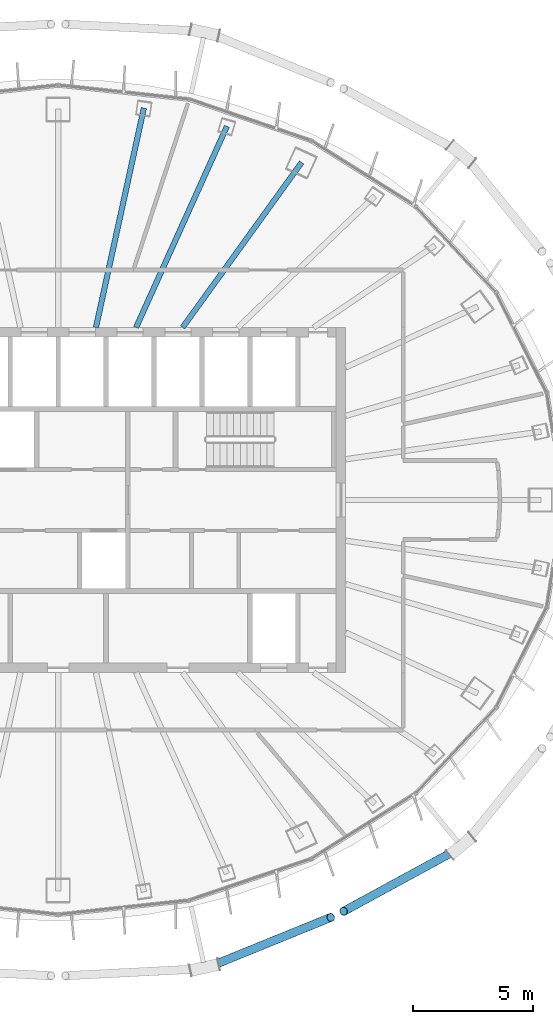
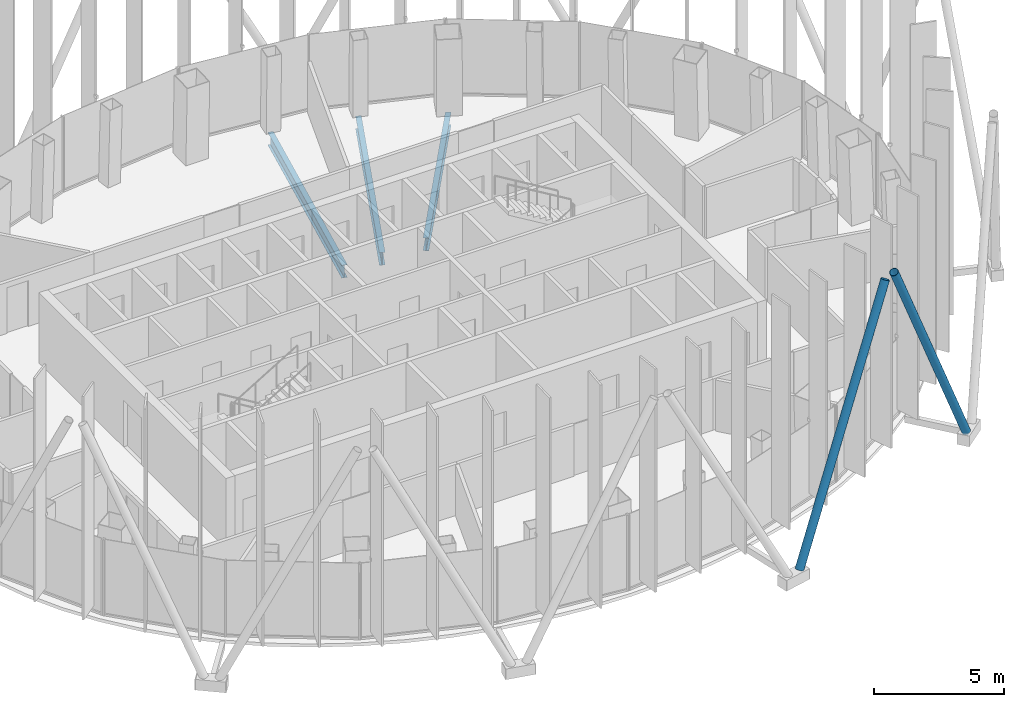
# One storey, part 5 of 19: 3 beams, 2 members.
"""IFC4 building model written with IfcOpenShell, lengths in metres."""

from ifc_helpers import new_model, si_unit, direction, frame, origin, origin_2d, place, context, subcontext, project, spatial, hollow_circle, i_section, extrude, material, material_profile, profile_set, type_object, element, save


model = new_model("IFC4")

# Units and contexts
model_context = context("Model", 3, precision=1e-05, world=origin(), true_north=direction((0.0, 1.0)))
body_context = subcontext(model_context, "Body", "Model", "MODEL_VIEW")
ifc_project = project(units=[si_unit("LENGTHUNIT", "METRE"), si_unit("AREAUNIT", "SQUARE_METRE"), si_unit("VOLUMEUNIT", "CUBIC_METRE"), si_unit("PLANEANGLEUNIT", "RADIAN"), si_unit("MASSUNIT", "GRAM", prefix="KILO")], contexts=[model_context])

# Site, building, storey
site_placement = place(None, origin())
site = spatial("IfcSite", under=ifc_project, at=site_placement, CompositionType="ELEMENT")
building_placement = place(site_placement, origin())
building = spatial("IfcBuilding", under=site, at=building_placement, Name="Siaravel Broadcast Tower", CompositionType="ELEMENT")
storey_placement = place(building_placement, frame((0.0, 0.0, 239.300048828125)))
storey = spatial("IfcBuildingStorey", under=building, at=storey_placement, Name="L58", CompositionType="ELEMENT", Elevation=239.300048828125)

# Beams
ifc_material_1 = material(Name="Steel S355", Category="steel")
ifc_material_profile_1 = material_profile(ifc_material_1, i_section(OverallWidth=0.2275390625, OverallDepth=0.6025390625, WebThickness=0.010498046875, FlangeThickness=0.014892578125, FilletRadius=0.0126953125, at=origin_2d()))
ifc_profile_set_1 = profile_set([ifc_material_profile_1], Name="Steel S355")
beam_type = type_object("IfcBeamType", Name="BM-UB 610x229x101", PredefinedType="BEAM", material=ifc_profile_set_1)
beam_1_placement = place(storey_placement, frame((10.15966796875, 14.0869140625, -0.451416015625), z_axis=(-0.584939282, -0.811077084, 0.0), x_axis=(0.811077084, -0.584939282, 0.0)))
element("IfcBeam", 1, at=beam_1_placement, inside=storey, type_object=beam_type, Name="Radial beam RB07", PredefinedType="BEAM", context=body_context, shape_type="SweptSolid", body=[
    extrude(i_section(OverallWidth=0.2275390625, OverallDepth=0.6025390625, WebThickness=0.010498046875, FlangeThickness=0.014892578125, FilletRadius=0.0126953125, at=origin_2d()), origin(), (0.0, 0.0, 1.0), 8.4912109375),
])
beam_2_placement = place(storey_placement, frame((7.042724609375, 15.597412109375, -0.451416015625), z_axis=(-0.411505786, -0.911407147, 0.0), x_axis=(0.911407147, -0.411505786, 0.0)))
element("IfcBeam", 2, at=beam_2_placement, inside=storey, type_object=beam_type, Name="Radial beam RB08", PredefinedType="BEAM", context=body_context, shape_type="SweptSolid", body=[
    extrude(i_section(OverallWidth=0.2275390625, OverallDepth=0.6025390625, WebThickness=0.010498046875, FlangeThickness=0.014892578125, FilletRadius=0.0126953125, at=origin_2d()), origin(), (0.0, 0.0, 1.0), 9.213623046875),
])
beam_3_placement = place(storey_placement, frame((3.577392578125, 16.35791015625, -0.451416015625), z_axis=(-0.213633966, -0.976913777, 0.0), x_axis=(0.976913777, -0.213633966, 0.0)))
element("IfcBeam", 3, at=beam_3_placement, inside=storey, type_object=beam_type, Name="Radial beam RB09", PredefinedType="BEAM", context=body_context, shape_type="SweptSolid", body=[
    extrude(i_section(OverallWidth=0.2275390625, OverallDepth=0.6025390625, WebThickness=0.010498046875, FlangeThickness=0.014892578125, FilletRadius=0.0126953125, at=origin_2d()), origin(), (0.0, 0.0, 1.0), 9.374267578125),
])

# Members
ifc_material_2 = material(Name="Steel S460", Category="steel")
ifc_material_profile_2 = material_profile(ifc_material_2, hollow_circle(Radius=0.177734375, WallThickness=0.012451171875, at=origin_2d()))
ifc_profile_set_2 = profile_set([ifc_material_profile_2], Name="Steel S460")
member_type = type_object("IfcMemberType", Name="Diagrid diagonal CHS 355.6x12.5", PredefinedType="BRACE", material=ifc_profile_set_2)
member_1_placement = place(storey_placement, frame((6.398193359375, -19.448974609375, 0.02001953125), z_axis=(0.417112386, 0.169805925, 0.892851167), x_axis=(-0.377051682, 0.926192221, 0.0)))
element("IfcMember", 4, at=member_1_placement, inside=storey, type_object=member_type, Name="Diagrid diagonal R24 station 57A", PredefinedType="BRACE", context=body_context, shape_type="SweptSolid", body=[
    extrude(hollow_circle(Radius=0.177734375, WallThickness=0.012451171875, at=origin_2d()), origin(), (0.0, 0.0, 1.0), 11.939208984375),
])
member_2_placement = place(storey_placement, frame((16.587646484375, -14.623779296875, 0.02001953125), z_axis=(-0.392366041, -0.2136099, 0.89466178), x_axis=(0.478148218, -0.878279159, 0.0)))
element("IfcMember", 5, at=member_2_placement, inside=storey, type_object=member_type, Name="Diagrid diagonal R24 station 63C", PredefinedType="BRACE", context=body_context, shape_type="SweptSolid", body=[
    extrude(hollow_circle(Radius=0.177734375, WallThickness=0.012451171875, at=origin_2d()), origin(), (0.0, 0.0, 1.0), 11.9150390625),
])

save(model, "model.ifc")
